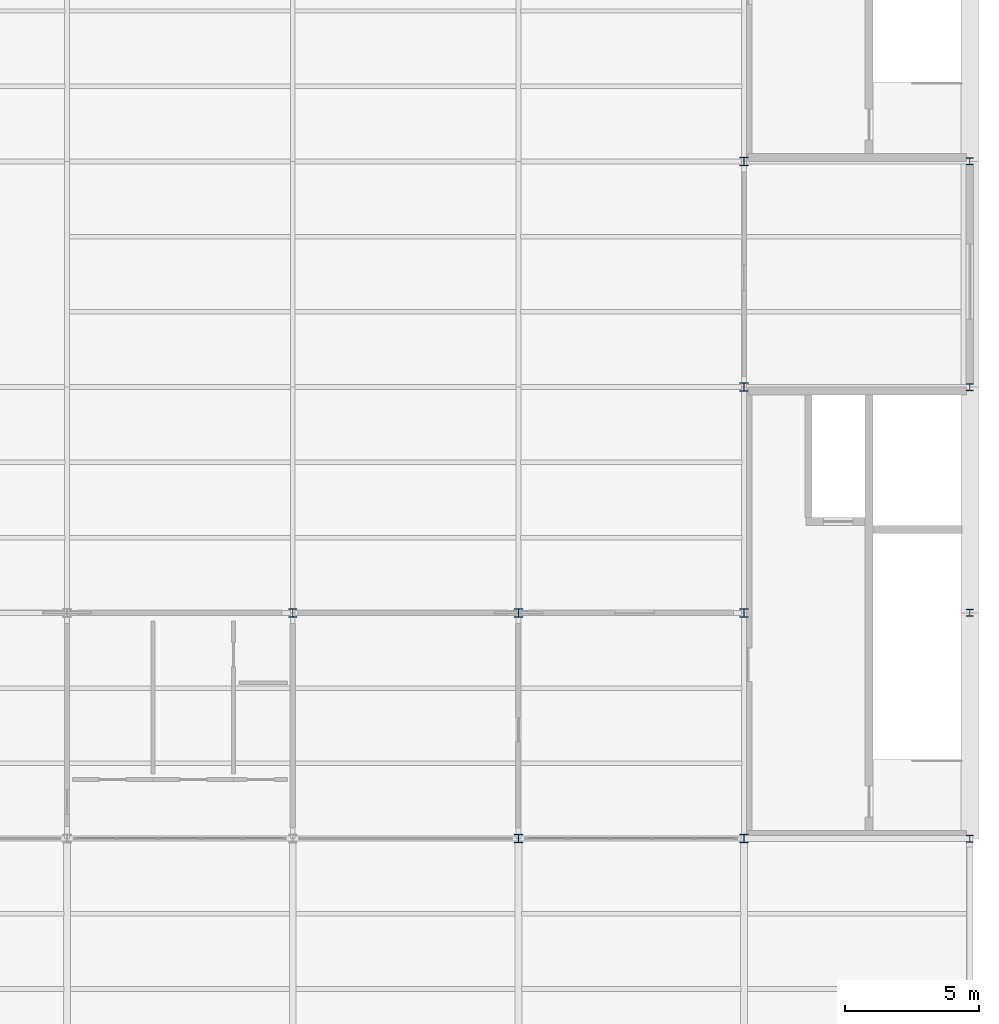
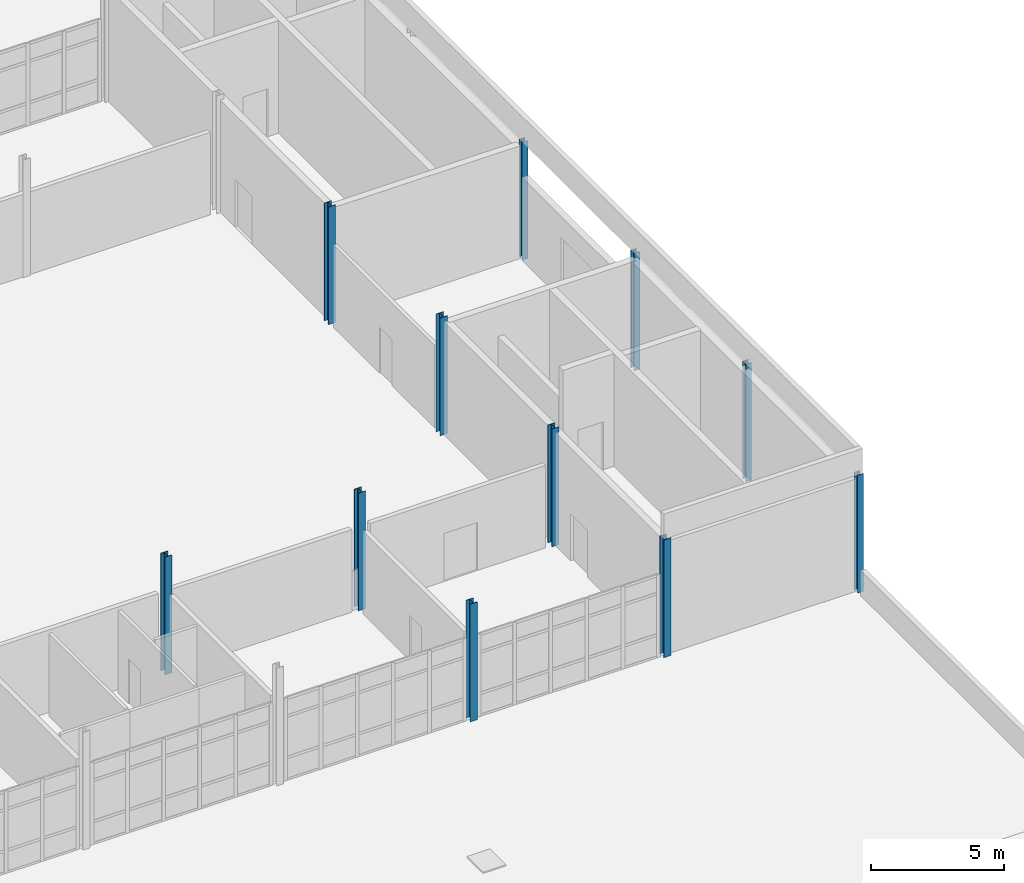
# One storey, part 3 of 33: 11 columns.
"""IFC4 building model written with IfcOpenShell, lengths in metres."""

from ifc_helpers import new_model, si_unit, direction, frame, origin, origin_2d, place, context, subcontext, project, spatial, i_section, extrude, material, material_profile, profile_set, type_object, element, save


model = new_model("IFC4")

# Units and contexts
model_context = context("Model", 3, precision=1e-05, world=origin(), true_north=direction((0.0, 1.0)))
body_context = subcontext(model_context, "Body", "Model", "MODEL_VIEW")
ifc_project = project(units=[si_unit("LENGTHUNIT", "METRE"), si_unit("AREAUNIT", "SQUARE_METRE"), si_unit("VOLUMEUNIT", "CUBIC_METRE"), si_unit("PLANEANGLEUNIT", "RADIAN"), si_unit("MASSUNIT", "GRAM", prefix="KILO"), si_unit("THERMODYNAMICTEMPERATUREUNIT", "KELVIN"), si_unit("POWERUNIT", "WATT")], contexts=[model_context])

# Site, building, storey
site_placement = place(None, origin())
site = spatial("IfcSite", under=ifc_project, at=site_placement, CompositionType="ELEMENT")
building_placement = place(site_placement, origin())
building = spatial("IfcBuilding", under=site, at=building_placement, Name="Tembeka Court Mobility Hub", CompositionType="ELEMENT")
storey_placement = place(building_placement, frame((0.0, 0.0, 23.39990234375)))
storey = spatial("IfcBuildingStorey", under=building, at=storey_placement, Name="L06", CompositionType="ELEMENT", Elevation=23.39990234375)

# Columns
ifc_material = material(Name="Steel S355", Category="steel")
ifc_material_profile_1 = material_profile(ifc_material, i_section(OverallWidth=0.30908203125, OverallDepth=0.321044921875, WebThickness=0.013916015625, FlangeThickness=0.021728515625, FilletRadius=0.01513671875, at=origin_2d()), Name="UKC 305x305x137")
ifc_profile_set_1 = profile_set([ifc_material_profile_1], Name="Steel S355")
column_type_1 = type_object("IfcColumnType", Name="COL-C04", PredefinedType="COLUMN", material=ifc_profile_set_1)
for number, where, z_axis, x_axis, name in (
    (1, (67.199951171875, 46.800048828125, 0.0), (0.0, 0.0, 1.0), (1.0, 0.0, 0.0), "Column C04 (L06-096)"),
    (2, (75.60009765625, 38.39990234375, 0.0), (0.0, 0.0, 1.0), (1.0, 0.0, 0.0), "Column C04 (L06-105)"),
    (3, (75.60009765625, 46.800048828125, 0.0), (0.0, 0.0, 1.0), (1.0, 0.0, 0.0), "Column C04 (L06-106)"),
    (4, (84.0, 38.39990234375, 0.0), (0.0, 0.0, 1.0), (1.0, 0.0, 0.0), "Column C04 (L06-116)"),
    (5, (84.0, 46.800048828125, 0.0), (0.0, 0.0, 1.0), (1.0, 0.0, 0.0), "Column C04 (L06-117)"),
    (6, (84.0, 55.199951171875, 0.0), (0.0, 0.0, 1.0), (1.0, 0.0, 0.0), "Column C04 (L06-118)"),
    (7, (84.0, 63.60009765625, 0.0), (0.0, 0.0, 1.0), (1.0, 0.0, 0.0), "Column C04 (L06-119)"),
):
    element("IfcColumn", number, at=place(storey_placement, frame(where, z_axis=z_axis, x_axis=x_axis)), inside=storey, type_object=column_type_1, Name=name, PredefinedType="COLUMN", context=body_context, shape_type="SweptSolid", body=[
        extrude(i_section(OverallWidth=0.30908203125, OverallDepth=0.321044921875, WebThickness=0.013916015625, FlangeThickness=0.021728515625, FilletRadius=0.01513671875, at=origin_2d()), origin(), (0.0, 0.0, 1.0), 5.400146484375),
    ])
ifc_material_profile_2 = material_profile(ifc_material, i_section(OverallWidth=0.256103515625, OverallDepth=0.260009765625, WebThickness=0.01025390625, FlangeThickness=0.017333984375, FilletRadius=0.0126953125, at=origin_2d()), Name="UKC 254x254x89")
ifc_profile_set_2 = profile_set([ifc_material_profile_2], Name="Steel S355")
column_type_2 = type_object("IfcColumnType", Name="COL-C05", PredefinedType="COLUMN", material=ifc_profile_set_2)
for number, where, z_axis, x_axis, name in (
    (8, (92.39990234375, 38.39990234375, 0.0), (0.0, 0.0, 1.0), (1.0, 0.0, 0.0), "Column C05 (L06-128)"),
    (9, (92.39990234375, 46.800048828125, 0.0), (0.0, 0.0, 1.0), (1.0, 0.0, 0.0), "Column C05 (L06-129)"),
    (10, (92.39990234375, 55.199951171875, 0.0), (0.0, 0.0, 1.0), (1.0, 0.0, 0.0), "Column C05 (L06-130)"),
    (11, (92.39990234375, 63.60009765625, 0.0), (0.0, 0.0, 1.0), (1.0, 0.0, 0.0), "Column C05 (L06-131)"),
):
    element("IfcColumn", number, at=place(storey_placement, frame(where, z_axis=z_axis, x_axis=x_axis)), inside=storey, type_object=column_type_2, Name=name, PredefinedType="COLUMN", context=body_context, shape_type="SweptSolid", body=[
        extrude(i_section(OverallWidth=0.256103515625, OverallDepth=0.260009765625, WebThickness=0.01025390625, FlangeThickness=0.017333984375, FilletRadius=0.0126953125, at=origin_2d()), origin(), (0.0, 0.0, 1.0), 5.400146484375),
    ])

save(model, "model.ifc")
